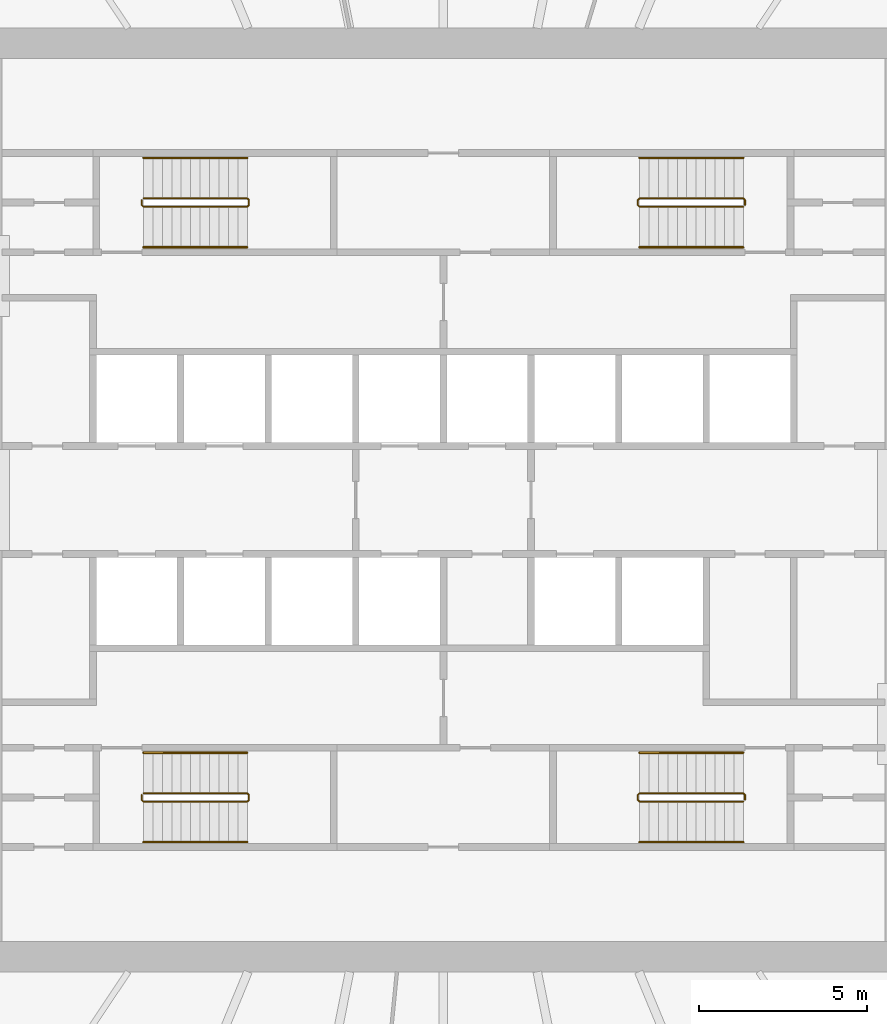
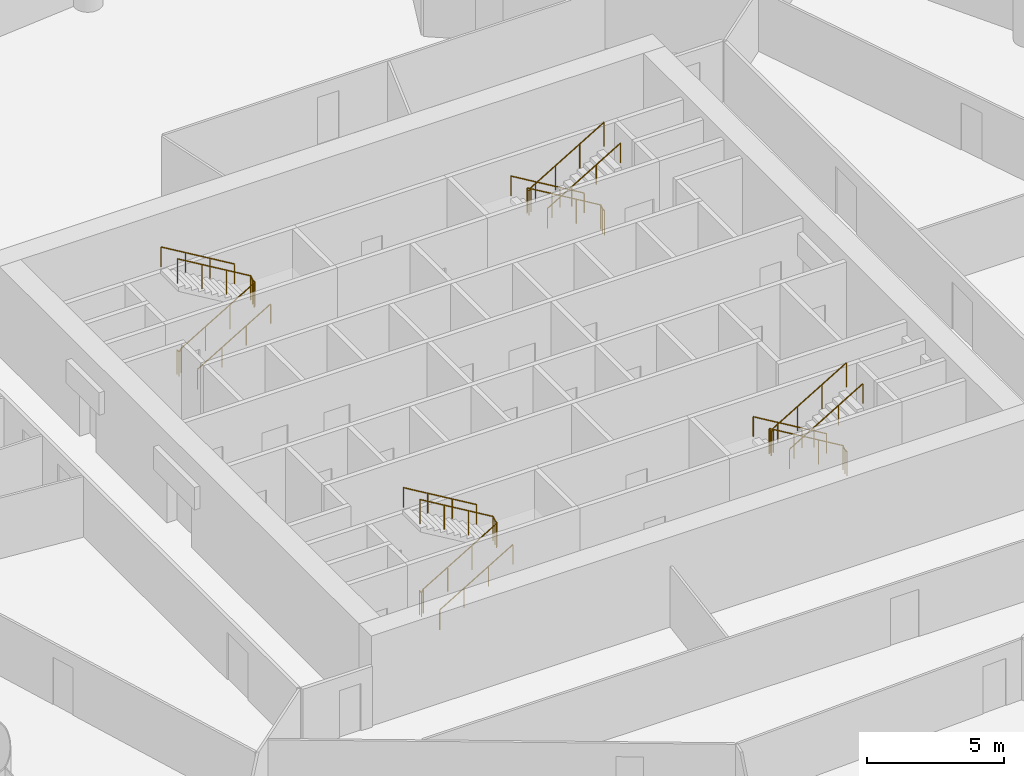
# One storey, part 9 of 9: 12 railings.
"""IFC4 building model written with IfcOpenShell, lengths in metres."""

import ifcopenshell
import ifcopenshell.guid

model = None  # the IFC model being written
_history = None  # IfcOwnerHistory: only IFC2X3 demands one
_inside = {}  # id of a spatial element -> (the spatial element, [elements in it])
_under = {}  # id of a project, library or spatial element -> (it, [spatial elements below it])
_declared = {}  # id of a project -> (the project, [libraries it declares])
_typed = {}  # id of a type object -> (the type object, [elements of that type])
_made_of = {}  # id of a material, layer set ... -> (it, [elements and type objects made of it])


def new_model(schema):
    """Start an empty IFC model of exactly this schema.

    Asked for "IFC4X3", IfcOpenShell would pick the latest addendum, in which some entities
    have other attributes; the version numbers below select the first issue.
    IFC2X3 requires an IfcOwnerHistory on every rooted entity: one is made here for all.
    """
    global model, _history
    if schema == "IFC4X3":
        model = ifcopenshell.file(schema_version=(4, 3, 0, 0))
    else:
        model = ifcopenshell.file(schema=schema)
    _inside.clear()
    _under.clear()
    _declared.clear()
    _typed.clear()
    _made_of.clear()
    _history = None
    if model.schema == "IFC2X3":
        org = make("IfcOrganization", Name="unknown")
        user = make(
            "IfcPersonAndOrganization",
            ThePerson=make("IfcPerson", FamilyName="unknown"),
            TheOrganization=org,
        )
        app = make(
            "IfcApplication",
            ApplicationDeveloper=org,
            Version="unknown",
            ApplicationFullName="unknown",
            ApplicationIdentifier="unknown",
        )
        _history = make(
            "IfcOwnerHistory",
            OwningUser=user,
            OwningApplication=app,
            ChangeAction="ADDED",
            CreationDate=0,
        )
    return model


def make(cls, **values):
    """One entity of the class cls with the attributes given. An attribute that is None is left unset."""
    return model.create_entity(
        cls, **{name: value for name, value in values.items() if value is not None}
    )


def rooted(cls, **values):
    """An entity with a GlobalId (a new one), such as an element, a storey or a relation."""
    return make(cls, GlobalId=ifcopenshell.guid.new(), OwnerHistory=_history, **values)


def si_unit(unit_type, name, prefix=None):
    """IfcSIUnit, for example si_unit("LENGTHUNIT", "METRE", prefix="MILLI")."""
    return make("IfcSIUnit", UnitType=unit_type, Prefix=prefix, Name=name)


def assignment(units):
    """IfcUnitAssignment: the units of a project."""
    return None if units is None else make("IfcUnitAssignment", Units=units)


def point(xyz):
    """IfcCartesianPoint."""
    return None if xyz is None else make("IfcCartesianPoint", Coordinates=xyz)


def direction(xyz):
    """IfcDirection."""
    return None if xyz is None else make("IfcDirection", DirectionRatios=xyz)


def frame(location, z_axis=None, x_axis=None):
    """IfcAxis2Placement3D, a coordinate frame: its origin and axes. An axis left out is left unset."""
    return make(
        "IfcAxis2Placement3D",
        Location=point(location),
        Axis=direction(z_axis),
        RefDirection=direction(x_axis),
    )


def frame_2d(location, x_axis=None):
    """IfcAxis2Placement2D, a coordinate frame in the plane: its origin and x axis."""
    return make(
        "IfcAxis2Placement2D", Location=point(location), RefDirection=direction(x_axis)
    )


def origin():
    """The frame at (0, 0, 0) with its axes left unset."""
    return frame((0.0, 0.0, 0.0))


def origin_2d():
    """The frame at (0, 0) in the plane with its x axis left unset."""
    return frame_2d((0.0, 0.0))


def place(relative_to, where):
    """IfcLocalPlacement: puts the frame where relative to a parent placement (None: the world)."""
    return make(
        "IfcLocalPlacement", PlacementRelTo=relative_to, RelativePlacement=where
    )


def context(
    kind, dimensions, precision=None, world=None, true_north=None, identifier=None
):
    """IfcGeometricRepresentationContext, for example the 3D "Model" context."""
    return make(
        "IfcGeometricRepresentationContext",
        ContextIdentifier=identifier,
        ContextType=kind,
        CoordinateSpaceDimension=dimensions,
        Precision=precision,
        WorldCoordinateSystem=world,
        TrueNorth=true_north,
    )


def subcontext(parent, identifier, kind, view, scale=None):
    """IfcGeometricRepresentationSubContext, for example "Body" below "Model"."""
    return make(
        "IfcGeometricRepresentationSubContext",
        ContextIdentifier=identifier,
        ContextType=kind,
        ParentContext=parent,
        TargetScale=scale,
        TargetView=view,
    )


def project(units=None, contexts=None):
    """IfcProject with its units and contexts."""
    return rooted(
        "IfcProject",
        Name="project",
        RepresentationContexts=contexts,
        UnitsInContext=assignment(units),
    )


def spatial(cls, under=None, at=None, **own):
    """A site, building, storey or space (cls), placed at a placement, below another one or the project."""
    s = rooted(cls, ObjectPlacement=at, **own)
    if under is not None:
        _under.setdefault(under.id(), (under, []))[1].append(s)
    return s


def profile(cls, at=None, kind="AREA", **sizes):
    """A parametric profile (cls). Its sizes go by their IFC names, for example OverallWidth=200.0."""
    return make(cls, ProfileType=kind, Position=at, **sizes)


def circle(**sizes):
    """IfcCircleProfileDef."""
    return profile("IfcCircleProfileDef", **sizes)


def extrude(swept, where, along, depth):
    """IfcExtrudedAreaSolid: the profile swept, set in the frame where, extruded along a direction by depth."""
    return make(
        "IfcExtrudedAreaSolid",
        SweptArea=swept,
        Position=where,
        ExtrudedDirection=direction(along),
        Depth=depth,
    )


def shape(context_of_items, identifier, shape_type, items):
    """IfcShapeRepresentation: the items that make up one representation, for example the "Body"."""
    return make(
        "IfcShapeRepresentation",
        ContextOfItems=context_of_items,
        RepresentationIdentifier=identifier,
        RepresentationType=shape_type,
        Items=items,
    )


def material(Name=None, Category=None):
    """IfcMaterial."""
    return make("IfcMaterial", Name=Name, Category=Category)


def made_of(thing, what):
    """Note that an element or type object is made of a material, layer set ...; save() writes the relation."""
    if what is not None:
        _made_of.setdefault(what.id(), (what, []))[1].append(thing)
    return thing


def type_object(cls, material=None, **own):
    """A type object (cls), such as IfcWallType, which elements share."""
    return made_of(rooted(cls, **own), material)


def element(
    cls,
    number,
    at=None,
    inside=None,
    cuts=None,
    type_object=None,
    material=None,
    context=None,
    identifier="Body",
    shape_type=None,
    held_by="IfcProductDefinitionShape",
    body=None,
    shapes=None,
    **own,
):
    """One element of the class cls, such as IfcWall. Its Tag is "e" and its number.

    at: its placement. inside: the storey or other place that contains it. cuts: it is an
    opening in that element (IfcRelVoidsElement). A single representation is given by context,
    identifier, shape_type and body (its items); several are given by shapes. held_by: the class
    of the entity that holds the representations. save() writes the other relations.
    """
    e = rooted(cls, Tag="e%d" % number, ObjectPlacement=at, **own)
    if body is not None:
        shapes = [shape(context, identifier, shape_type, body)]
    if shapes is not None:
        e.Representation = make(held_by, Representations=shapes)
    if inside is not None:
        _inside.setdefault(inside.id(), (inside, []))[1].append(e)
    if cuts is not None:
        rooted(
            "IfcRelVoidsElement", RelatingBuildingElement=cuts, RelatedOpeningElement=e
        )
    if type_object is not None:
        _typed.setdefault(type_object.id(), (type_object, []))[1].append(e)
    return made_of(e, material)


def aggregate(whole, parts):
    """IfcRelAggregates: a whole, such as a stair, and the parts it consists of."""
    return rooted("IfcRelAggregates", RelatingObject=whole, RelatedObjects=parts)


def save(model, path):
    """Write the relations noted so far, then the file.

    IfcRelAggregates (storeys below a building ...), IfcRelContainedInSpatialStructure (elements
    in a storey), IfcRelDefinesByType, IfcRelAssociatesMaterial and IfcRelDeclares: one each for
    every whole, place, type object, material and project.
    """
    for whole, parts in _under.values():
        aggregate(whole, parts)
    for where, things in _inside.values():
        rooted(
            "IfcRelContainedInSpatialStructure",
            RelatedElements=things,
            RelatingStructure=where,
        )
    for kind, things in _typed.values():
        rooted("IfcRelDefinesByType", RelatedObjects=things, RelatingType=kind)
    for what, things in _made_of.values():
        rooted("IfcRelAssociatesMaterial", RelatedObjects=things, RelatingMaterial=what)
    for by, libraries in _declared.values():
        rooted("IfcRelDeclares", RelatingContext=by, RelatedDefinitions=libraries)
    model.write(path)


model = new_model("IFC4")

# Units and contexts
model_context = context("Model", 3, precision=1e-05, world=origin(), true_north=direction((0.0, 1.0)))
body_context = subcontext(model_context, "Body", "Model", "MODEL_VIEW")
ifc_project = project(units=[si_unit("LENGTHUNIT", "METRE"), si_unit("AREAUNIT", "SQUARE_METRE"), si_unit("VOLUMEUNIT", "CUBIC_METRE"), si_unit("PLANEANGLEUNIT", "RADIAN"), si_unit("MASSUNIT", "GRAM", prefix="KILO")], contexts=[model_context])

# Site, building, storey
site_placement = place(None, origin())
site = spatial("IfcSite", under=ifc_project, at=site_placement, CompositionType="ELEMENT")
building_placement = place(site_placement, origin())
building = spatial("IfcBuilding", under=site, at=building_placement, Name="Corvane Civic Tower", CompositionType="ELEMENT")
storey_placement = place(building_placement, frame((0.0, 0.0, 164.0)))
storey = spatial("IfcBuildingStorey", under=building, at=storey_placement, Name="L38", CompositionType="ELEMENT", Elevation=164.0)

# Railings
ifc_material_1 = material(Name="Steel ASTM A572 Gr 50", Category="steel")
railing_type_1 = type_object("IfcRailingType", Name="ST-GUARD-1100", PredefinedType="GUARDRAIL", material=ifc_material_1)
railing_1_placement = place(storey_placement, frame((8.949951171875, 8.75, 0.0)))
element("IfcRailing", 1, at=railing_1_placement, inside=storey, type_object=railing_type_1, Name="L38 ST1 stair guard 1", PredefinedType="GUARDRAIL", context=body_context, shape_type="SweptSolid", body=[
    extrude(circle(Radius=0.02392578125, at=origin_2d()), frame((0.0, 0.0, 1.076171875), z_axis=(0.0, 1.0, 0.0), x_axis=(-1.0, 0.0, 0.0)), (0.0, 0.0, 1.0), 0.14990234375),
    extrude(circle(Radius=0.02392578125, at=origin_2d()), frame((0.0, 0.14990234375, 1.076171875), z_axis=(-0.27628659633, 0.27628659633, 0.920506074601), x_axis=(-0.707106781187, -0.707106781187, 0.0)), (0.0, 0.0, 1.0), 0.18115234375),
    extrude(circle(Radius=0.02392578125, at=origin_2d()), frame((-0.050048828125, 0.199951171875, 1.24267578125), z_axis=(-0.859290745958, 0.0, 0.51148745235), x_axis=(0.0, -1.0, 0.0)), (0.0, 0.0, 1.0), 3.584228515625),
    extrude(circle(Radius=0.02392578125, at=origin_2d()), frame((-3.1298828125, 0.199951171875, 3.076171875), z_axis=(-0.707106781187, -0.707106781187, 0.0), x_axis=(0.707106781187, -0.707106781187, 0.0)), (0.0, 0.0, 1.0), 0.07080078125),
    extrude(circle(Radius=0.02392578125, at=origin_2d()), frame((-3.179931640625, 0.14990234375, 3.076171875), z_axis=(0.0, -1.0, 0.0), x_axis=(1.0, 0.0, 0.0)), (0.0, 0.0, 1.0), 0.14990234375),
    extrude(circle(Radius=0.02392578125, at=origin_2d()), frame((-3.179931640625, 0.0, 3.076171875), z_axis=(0.27628659633, -0.27628659633, 0.920506074601), x_axis=(0.707106781187, 0.707106781187, 0.0)), (0.0, 0.0, 1.0), 0.18115234375),
    extrude(circle(Radius=0.02392578125, at=origin_2d()), frame((-3.1298828125, -0.050048828125, 3.24267578125), z_axis=(0.859290745958, 0.0, 0.51148745235), x_axis=(0.0, 1.0, 0.0)), (0.0, 0.0, 1.0), 3.584228515625),
    extrude(circle(Radius=0.02099609375, at=origin_2d()), origin(), (0.0, 0.0, 1.0), 1.052001953125),
    extrude(circle(Radius=0.02099609375, at=origin_2d()), frame((0.0, 0.14990234375, 0.0)), (0.0, 0.0, 1.0), 1.052001953125),
    extrude(circle(Radius=0.02099609375, at=origin_2d()), frame((-0.050048828125, 0.199951171875, 0.166748046875)), (0.0, 0.0, 1.0), 1.052001953125),
    extrude(circle(Radius=0.02099609375, at=origin_2d()), frame((-1.07666015625, 0.199951171875, 0.77783203125)), (0.0, 0.0, 1.0), 1.052001953125),
    extrude(circle(Radius=0.02099609375, at=origin_2d()), frame((-2.103271484375, 0.199951171875, 1.388916015625)), (0.0, 0.0, 1.0), 1.052001953125),
    extrude(circle(Radius=0.02099609375, at=origin_2d()), frame((-3.1298828125, 0.199951171875, 2.0)), (0.0, 0.0, 1.0), 1.052001953125),
    extrude(circle(Radius=0.02099609375, at=origin_2d()), frame((-3.179931640625, 0.14990234375, 2.0)), (0.0, 0.0, 1.0), 1.052001953125),
    extrude(circle(Radius=0.02099609375, at=origin_2d()), frame((-3.179931640625, 0.0, 2.0)), (0.0, 0.0, 1.0), 1.052001953125),
    extrude(circle(Radius=0.02099609375, at=origin_2d()), frame((-3.1298828125, -0.050048828125, 2.166748046875)), (0.0, 0.0, 1.0), 1.052001953125),
    extrude(circle(Radius=0.02099609375, at=origin_2d()), frame((-2.103271484375, -0.050048828125, 2.77783203125)), (0.0, 0.0, 1.0), 1.052001953125),
    extrude(circle(Radius=0.02099609375, at=origin_2d()), frame((-1.07666015625, -0.050048828125, 3.388916015625)), (0.0, 0.0, 1.0), 1.052001953125),
    extrude(circle(Radius=0.02099609375, at=origin_2d()), frame((-0.050048828125, -0.050048828125, 4.0)), (0.0, 0.0, 1.0), 1.052001953125),
])
railing_2_placement = place(storey_placement, frame((8.949951171875, -8.89990234375, 0.0)))
element("IfcRailing", 2, at=railing_2_placement, inside=storey, type_object=railing_type_1, Name="L38 ST2 stair guard 1", PredefinedType="GUARDRAIL", context=body_context, shape_type="SweptSolid", body=[
    extrude(circle(Radius=0.02392578125, at=origin_2d()), frame((0.0, 0.0, 1.076171875), z_axis=(0.0, 1.0, 0.0), x_axis=(-1.0, 0.0, 0.0)), (0.0, 0.0, 1.0), 0.14990234375),
    extrude(circle(Radius=0.02392578125, at=origin_2d()), frame((0.0, 0.14990234375, 1.076171875), z_axis=(-0.27628659633, 0.27628659633, 0.920506074601), x_axis=(-0.707106781187, -0.707106781187, 0.0)), (0.0, 0.0, 1.0), 0.18115234375),
    extrude(circle(Radius=0.02392578125, at=origin_2d()), frame((-0.050048828125, 0.199951171875, 1.24267578125), z_axis=(-0.859290745958, 0.0, 0.51148745235), x_axis=(0.0, -1.0, 0.0)), (0.0, 0.0, 1.0), 3.584228515625),
    extrude(circle(Radius=0.02392578125, at=origin_2d()), frame((-3.1298828125, 0.199951171875, 3.076171875), z_axis=(-0.707106781187, -0.707106781187, 0.0), x_axis=(0.707106781187, -0.707106781187, 0.0)), (0.0, 0.0, 1.0), 0.07080078125),
    extrude(circle(Radius=0.02392578125, at=origin_2d()), frame((-3.179931640625, 0.14990234375, 3.076171875), z_axis=(0.0, -1.0, 0.0), x_axis=(1.0, 0.0, 0.0)), (0.0, 0.0, 1.0), 0.14990234375),
    extrude(circle(Radius=0.02392578125, at=origin_2d()), frame((-3.179931640625, 0.0, 3.076171875), z_axis=(0.27628659633, -0.27628659633, 0.920506074601), x_axis=(0.707106781187, 0.707106781187, 0.0)), (0.0, 0.0, 1.0), 0.18115234375),
    extrude(circle(Radius=0.02392578125, at=origin_2d()), frame((-3.1298828125, -0.050048828125, 3.24267578125), z_axis=(0.859290745958, 0.0, 0.51148745235), x_axis=(0.0, 1.0, 0.0)), (0.0, 0.0, 1.0), 3.584228515625),
    extrude(circle(Radius=0.02099609375, at=origin_2d()), origin(), (0.0, 0.0, 1.0), 1.052001953125),
    extrude(circle(Radius=0.02099609375, at=origin_2d()), frame((0.0, 0.14990234375, 0.0)), (0.0, 0.0, 1.0), 1.052001953125),
    extrude(circle(Radius=0.02099609375, at=origin_2d()), frame((-0.050048828125, 0.199951171875, 0.166748046875)), (0.0, 0.0, 1.0), 1.052001953125),
    extrude(circle(Radius=0.02099609375, at=origin_2d()), frame((-1.07666015625, 0.199951171875, 0.77783203125)), (0.0, 0.0, 1.0), 1.052001953125),
    extrude(circle(Radius=0.02099609375, at=origin_2d()), frame((-2.103271484375, 0.199951171875, 1.388916015625)), (0.0, 0.0, 1.0), 1.052001953125),
    extrude(circle(Radius=0.02099609375, at=origin_2d()), frame((-3.1298828125, 0.199951171875, 2.0)), (0.0, 0.0, 1.0), 1.052001953125),
    extrude(circle(Radius=0.02099609375, at=origin_2d()), frame((-3.179931640625, 0.14990234375, 2.0)), (0.0, 0.0, 1.0), 1.052001953125),
    extrude(circle(Radius=0.02099609375, at=origin_2d()), frame((-3.179931640625, 0.0, 2.0)), (0.0, 0.0, 1.0), 1.052001953125),
    extrude(circle(Radius=0.02099609375, at=origin_2d()), frame((-3.1298828125, -0.050048828125, 2.166748046875)), (0.0, 0.0, 1.0), 1.052001953125),
    extrude(circle(Radius=0.02099609375, at=origin_2d()), frame((-2.103271484375, -0.050048828125, 2.77783203125)), (0.0, 0.0, 1.0), 1.052001953125),
    extrude(circle(Radius=0.02099609375, at=origin_2d()), frame((-1.07666015625, -0.050048828125, 3.388916015625)), (0.0, 0.0, 1.0), 1.052001953125),
    extrude(circle(Radius=0.02099609375, at=origin_2d()), frame((-0.050048828125, -0.050048828125, 4.0)), (0.0, 0.0, 1.0), 1.052001953125),
])
railing_3_placement = place(storey_placement, frame((-8.949951171875, -8.75, 0.0)))
element("IfcRailing", 3, at=railing_3_placement, inside=storey, type_object=railing_type_1, Name="L38 ST3 stair guard 1", PredefinedType="GUARDRAIL", context=body_context, shape_type="SweptSolid", body=[
    extrude(circle(Radius=0.02392578125, at=origin_2d()), frame((0.0, 0.0, 1.076171875), z_axis=(0.0, -1.0, 0.0), x_axis=(1.0, 0.0, 0.0)), (0.0, 0.0, 1.0), 0.14990234375),
    extrude(circle(Radius=0.02392578125, at=origin_2d()), frame((0.0, -0.14990234375, 1.076171875), z_axis=(0.27628659633, -0.27628659633, 0.920506074601), x_axis=(0.707106781187, 0.707106781187, 0.0)), (0.0, 0.0, 1.0), 0.18115234375),
    extrude(circle(Radius=0.02392578125, at=origin_2d()), frame((0.050048828125, -0.199951171875, 1.24267578125), z_axis=(0.859290745958, 0.0, 0.51148745235), x_axis=(0.0, 1.0, 0.0)), (0.0, 0.0, 1.0), 3.584228515625),
    extrude(circle(Radius=0.02392578125, at=origin_2d()), frame((3.1298828125, -0.199951171875, 3.076171875), z_axis=(0.707106781187, 0.707106781187, 0.0), x_axis=(-0.707106781187, 0.707106781187, 0.0)), (0.0, 0.0, 1.0), 0.07080078125),
    extrude(circle(Radius=0.02392578125, at=origin_2d()), frame((3.179931640625, -0.14990234375, 3.076171875), z_axis=(0.0, 1.0, 0.0), x_axis=(-1.0, 0.0, 0.0)), (0.0, 0.0, 1.0), 0.14990234375),
    extrude(circle(Radius=0.02392578125, at=origin_2d()), frame((3.179931640625, 0.0, 3.076171875), z_axis=(-0.27628659633, 0.27628659633, 0.920506074601), x_axis=(-0.707106781187, -0.707106781187, 0.0)), (0.0, 0.0, 1.0), 0.18115234375),
    extrude(circle(Radius=0.02392578125, at=origin_2d()), frame((3.1298828125, 0.050048828125, 3.24267578125), z_axis=(-0.859290745958, 0.0, 0.51148745235), x_axis=(0.0, -1.0, 0.0)), (0.0, 0.0, 1.0), 3.584228515625),
    extrude(circle(Radius=0.02099609375, at=origin_2d()), origin(), (0.0, 0.0, 1.0), 1.052001953125),
    extrude(circle(Radius=0.02099609375, at=origin_2d()), frame((0.0, -0.14990234375, 0.0)), (0.0, 0.0, 1.0), 1.052001953125),
    extrude(circle(Radius=0.02099609375, at=origin_2d()), frame((0.050048828125, -0.199951171875, 0.166748046875)), (0.0, 0.0, 1.0), 1.052001953125),
    extrude(circle(Radius=0.02099609375, at=origin_2d()), frame((1.07666015625, -0.199951171875, 0.77783203125)), (0.0, 0.0, 1.0), 1.052001953125),
    extrude(circle(Radius=0.02099609375, at=origin_2d()), frame((2.103271484375, -0.199951171875, 1.388916015625)), (0.0, 0.0, 1.0), 1.052001953125),
    extrude(circle(Radius=0.02099609375, at=origin_2d()), frame((3.1298828125, -0.199951171875, 2.0)), (0.0, 0.0, 1.0), 1.052001953125),
    extrude(circle(Radius=0.02099609375, at=origin_2d()), frame((3.179931640625, -0.14990234375, 2.0)), (0.0, 0.0, 1.0), 1.052001953125),
    extrude(circle(Radius=0.02099609375, at=origin_2d()), frame((3.179931640625, 0.0, 2.0)), (0.0, 0.0, 1.0), 1.052001953125),
    extrude(circle(Radius=0.02099609375, at=origin_2d()), frame((3.1298828125, 0.050048828125, 2.166748046875)), (0.0, 0.0, 1.0), 1.052001953125),
    extrude(circle(Radius=0.02099609375, at=origin_2d()), frame((2.103271484375, 0.050048828125, 2.77783203125)), (0.0, 0.0, 1.0), 1.052001953125),
    extrude(circle(Radius=0.02099609375, at=origin_2d()), frame((1.07666015625, 0.050048828125, 3.388916015625)), (0.0, 0.0, 1.0), 1.052001953125),
    extrude(circle(Radius=0.02099609375, at=origin_2d()), frame((0.050048828125, 0.050048828125, 4.0)), (0.0, 0.0, 1.0), 1.052001953125),
])
railing_4_placement = place(storey_placement, frame((-8.949951171875, 8.89990234375, 0.0)))
element("IfcRailing", 4, at=railing_4_placement, inside=storey, type_object=railing_type_1, Name="L38 ST4 stair guard 1", PredefinedType="GUARDRAIL", context=body_context, shape_type="SweptSolid", body=[
    extrude(circle(Radius=0.02392578125, at=origin_2d()), frame((0.0, 0.0, 1.076171875), z_axis=(0.0, -1.0, 0.0), x_axis=(1.0, 0.0, 0.0)), (0.0, 0.0, 1.0), 0.14990234375),
    extrude(circle(Radius=0.02392578125, at=origin_2d()), frame((0.0, -0.14990234375, 1.076171875), z_axis=(0.27628659633, -0.27628659633, 0.920506074601), x_axis=(0.707106781187, 0.707106781187, 0.0)), (0.0, 0.0, 1.0), 0.18115234375),
    extrude(circle(Radius=0.02392578125, at=origin_2d()), frame((0.050048828125, -0.199951171875, 1.24267578125), z_axis=(0.859290745958, 0.0, 0.51148745235), x_axis=(0.0, 1.0, 0.0)), (0.0, 0.0, 1.0), 3.584228515625),
    extrude(circle(Radius=0.02392578125, at=origin_2d()), frame((3.1298828125, -0.199951171875, 3.076171875), z_axis=(0.707106781187, 0.707106781187, 0.0), x_axis=(-0.707106781187, 0.707106781187, 0.0)), (0.0, 0.0, 1.0), 0.07080078125),
    extrude(circle(Radius=0.02392578125, at=origin_2d()), frame((3.179931640625, -0.14990234375, 3.076171875), z_axis=(0.0, 1.0, 0.0), x_axis=(-1.0, 0.0, 0.0)), (0.0, 0.0, 1.0), 0.14990234375),
    extrude(circle(Radius=0.02392578125, at=origin_2d()), frame((3.179931640625, 0.0, 3.076171875), z_axis=(-0.27628659633, 0.27628659633, 0.920506074601), x_axis=(-0.707106781187, -0.707106781187, 0.0)), (0.0, 0.0, 1.0), 0.18115234375),
    extrude(circle(Radius=0.02392578125, at=origin_2d()), frame((3.1298828125, 0.050048828125, 3.24267578125), z_axis=(-0.859290745958, 0.0, 0.51148745235), x_axis=(0.0, -1.0, 0.0)), (0.0, 0.0, 1.0), 3.584228515625),
    extrude(circle(Radius=0.02099609375, at=origin_2d()), origin(), (0.0, 0.0, 1.0), 1.052001953125),
    extrude(circle(Radius=0.02099609375, at=origin_2d()), frame((0.0, -0.14990234375, 0.0)), (0.0, 0.0, 1.0), 1.052001953125),
    extrude(circle(Radius=0.02099609375, at=origin_2d()), frame((0.050048828125, -0.199951171875, 0.166748046875)), (0.0, 0.0, 1.0), 1.052001953125),
    extrude(circle(Radius=0.02099609375, at=origin_2d()), frame((1.07666015625, -0.199951171875, 0.77783203125)), (0.0, 0.0, 1.0), 1.052001953125),
    extrude(circle(Radius=0.02099609375, at=origin_2d()), frame((2.103271484375, -0.199951171875, 1.388916015625)), (0.0, 0.0, 1.0), 1.052001953125),
    extrude(circle(Radius=0.02099609375, at=origin_2d()), frame((3.1298828125, -0.199951171875, 2.0)), (0.0, 0.0, 1.0), 1.052001953125),
    extrude(circle(Radius=0.02099609375, at=origin_2d()), frame((3.179931640625, -0.14990234375, 2.0)), (0.0, 0.0, 1.0), 1.052001953125),
    extrude(circle(Radius=0.02099609375, at=origin_2d()), frame((3.179931640625, 0.0, 2.0)), (0.0, 0.0, 1.0), 1.052001953125),
    extrude(circle(Radius=0.02099609375, at=origin_2d()), frame((3.1298828125, 0.050048828125, 2.166748046875)), (0.0, 0.0, 1.0), 1.052001953125),
    extrude(circle(Radius=0.02099609375, at=origin_2d()), frame((2.103271484375, 0.050048828125, 2.77783203125)), (0.0, 0.0, 1.0), 1.052001953125),
    extrude(circle(Radius=0.02099609375, at=origin_2d()), frame((1.07666015625, 0.050048828125, 3.388916015625)), (0.0, 0.0, 1.0), 1.052001953125),
    extrude(circle(Radius=0.02099609375, at=origin_2d()), frame((0.050048828125, 0.050048828125, 4.0)), (0.0, 0.0, 1.0), 1.052001953125),
])
ifc_material_2 = material(Name="Steel ASTM A572 Gr 50", Category="steel")
railing_type_2 = type_object("IfcRailingType", Name="ST-HANDRAIL-900", PredefinedType="HANDRAIL", material=ifc_material_2)
railing_5_placement = place(storey_placement, frame((8.89990234375, 10.14990234375, 0.166748046875)))
element("IfcRailing", 5, at=railing_5_placement, inside=storey, type_object=railing_type_2, Name="L38 ST1 stair handrail 1", PredefinedType="HANDRAIL", context=body_context, shape_type="SweptSolid", body=[
    extrude(circle(Radius=0.02392578125, at=origin_2d()), frame((0.0, 0.0, 0.8759765625), z_axis=(-0.859290745958, 0.0, 0.51148745235), x_axis=(0.0, -1.0, 0.0)), (0.0, 0.0, 1.0), 3.584228515625),
    extrude(circle(Radius=0.02099609375, at=origin_2d()), origin(), (0.0, 0.0, 1.0), 0.851806640625),
    extrude(circle(Radius=0.02099609375, at=origin_2d()), frame((-1.026611328125, 0.0, 0.611083984375)), (0.0, 0.0, 1.0), 0.851806640625),
    extrude(circle(Radius=0.02099609375, at=origin_2d()), frame((-2.05322265625, 0.0, 1.22216796875)), (0.0, 0.0, 1.0), 0.851806640625),
    extrude(circle(Radius=0.02099609375, at=origin_2d()), frame((-3.079833984375, 0.0, 1.833251953125)), (0.0, 0.0, 1.0), 0.851806640625),
])
railing_6_placement = place(storey_placement, frame((5.820068359375, 7.5, 2.166748046875)))
element("IfcRailing", 6, at=railing_6_placement, inside=storey, type_object=railing_type_2, Name="L38 ST1 stair handrail 2", PredefinedType="HANDRAIL", context=body_context, shape_type="SweptSolid", body=[
    extrude(circle(Radius=0.02392578125, at=origin_2d()), frame((0.0, 0.0, 0.8759765625), z_axis=(0.859290745958, 0.0, 0.51148745235), x_axis=(0.0, 1.0, 0.0)), (0.0, 0.0, 1.0), 3.584228515625),
    extrude(circle(Radius=0.02099609375, at=origin_2d()), origin(), (0.0, 0.0, 1.0), 0.851806640625),
    extrude(circle(Radius=0.02099609375, at=origin_2d()), frame((1.026611328125, 0.0, 0.611083984375)), (0.0, 0.0, 1.0), 0.851806640625),
    extrude(circle(Radius=0.02099609375, at=origin_2d()), frame((2.05322265625, 0.0, 1.22216796875)), (0.0, 0.0, 1.0), 0.851806640625),
    extrude(circle(Radius=0.02099609375, at=origin_2d()), frame((3.079833984375, 0.0, 1.833251953125)), (0.0, 0.0, 1.0), 0.851806640625),
])
railing_7_placement = place(storey_placement, frame((8.89990234375, -7.5, 0.166748046875)))
element("IfcRailing", 7, at=railing_7_placement, inside=storey, type_object=railing_type_2, Name="L38 ST2 stair handrail 1", PredefinedType="HANDRAIL", context=body_context, shape_type="SweptSolid", body=[
    extrude(circle(Radius=0.02392578125, at=origin_2d()), frame((0.0, 0.0, 0.8759765625), z_axis=(-0.859290745958, 0.0, 0.51148745235), x_axis=(0.0, -1.0, 0.0)), (0.0, 0.0, 1.0), 3.584228515625),
    extrude(circle(Radius=0.02099609375, at=origin_2d()), origin(), (0.0, 0.0, 1.0), 0.851806640625),
    extrude(circle(Radius=0.02099609375, at=origin_2d()), frame((-1.026611328125, 0.0, 0.611083984375)), (0.0, 0.0, 1.0), 0.851806640625),
    extrude(circle(Radius=0.02099609375, at=origin_2d()), frame((-2.05322265625, 0.0, 1.22216796875)), (0.0, 0.0, 1.0), 0.851806640625),
    extrude(circle(Radius=0.02099609375, at=origin_2d()), frame((-3.079833984375, 0.0, 1.833251953125)), (0.0, 0.0, 1.0), 0.851806640625),
])
for number, where, name in (
    (8, (5.820068359375, -10.14990234375, 2.166748046875), "L38 ST2 stair handrail 2"),
    (9, (-8.89990234375, -10.14990234375, 0.166748046875), "L38 ST3 stair handrail 1"),
):
    element("IfcRailing", number, at=place(storey_placement, frame(where)), inside=storey, type_object=railing_type_2, Name=name, PredefinedType="HANDRAIL", context=body_context, shape_type="SweptSolid", body=[
        extrude(circle(Radius=0.02392578125, at=origin_2d()), frame((0.0, 0.0, 0.8759765625), z_axis=(0.859290745958, 0.0, 0.51148745235), x_axis=(0.0, 1.0, 0.0)), (0.0, 0.0, 1.0), 3.584228515625),
        extrude(circle(Radius=0.02099609375, at=origin_2d()), origin(), (0.0, 0.0, 1.0), 0.851806640625),
        extrude(circle(Radius=0.02099609375, at=origin_2d()), frame((1.026611328125, 0.0, 0.611083984375)), (0.0, 0.0, 1.0), 0.851806640625),
        extrude(circle(Radius=0.02099609375, at=origin_2d()), frame((2.05322265625, 0.0, 1.22216796875)), (0.0, 0.0, 1.0), 0.851806640625),
        extrude(circle(Radius=0.02099609375, at=origin_2d()), frame((3.079833984375, 0.0, 1.833251953125)), (0.0, 0.0, 1.0), 0.851806640625),
    ])
railing_8_placement = place(storey_placement, frame((-5.820068359375, -7.5, 2.166748046875)))
element("IfcRailing", 10, at=railing_8_placement, inside=storey, type_object=railing_type_2, Name="L38 ST3 stair handrail 2", PredefinedType="HANDRAIL", context=body_context, shape_type="SweptSolid", body=[
    extrude(circle(Radius=0.02392578125, at=origin_2d()), frame((0.0, 0.0, 0.8759765625), z_axis=(-0.859290745958, 0.0, 0.51148745235), x_axis=(0.0, -1.0, 0.0)), (0.0, 0.0, 1.0), 3.584228515625),
    extrude(circle(Radius=0.02099609375, at=origin_2d()), origin(), (0.0, 0.0, 1.0), 0.851806640625),
    extrude(circle(Radius=0.02099609375, at=origin_2d()), frame((-1.026611328125, 0.0, 0.611083984375)), (0.0, 0.0, 1.0), 0.851806640625),
    extrude(circle(Radius=0.02099609375, at=origin_2d()), frame((-2.05322265625, 0.0, 1.22216796875)), (0.0, 0.0, 1.0), 0.851806640625),
    extrude(circle(Radius=0.02099609375, at=origin_2d()), frame((-3.079833984375, 0.0, 1.833251953125)), (0.0, 0.0, 1.0), 0.851806640625),
])
railing_9_placement = place(storey_placement, frame((-8.89990234375, 7.5, 0.166748046875)))
element("IfcRailing", 11, at=railing_9_placement, inside=storey, type_object=railing_type_2, Name="L38 ST4 stair handrail 1", PredefinedType="HANDRAIL", context=body_context, shape_type="SweptSolid", body=[
    extrude(circle(Radius=0.02392578125, at=origin_2d()), frame((0.0, 0.0, 0.8759765625), z_axis=(0.859290745958, 0.0, 0.51148745235), x_axis=(0.0, 1.0, 0.0)), (0.0, 0.0, 1.0), 3.584228515625),
    extrude(circle(Radius=0.02099609375, at=origin_2d()), origin(), (0.0, 0.0, 1.0), 0.851806640625),
    extrude(circle(Radius=0.02099609375, at=origin_2d()), frame((1.026611328125, 0.0, 0.611083984375)), (0.0, 0.0, 1.0), 0.851806640625),
    extrude(circle(Radius=0.02099609375, at=origin_2d()), frame((2.05322265625, 0.0, 1.22216796875)), (0.0, 0.0, 1.0), 0.851806640625),
    extrude(circle(Radius=0.02099609375, at=origin_2d()), frame((3.079833984375, 0.0, 1.833251953125)), (0.0, 0.0, 1.0), 0.851806640625),
])
railing_10_placement = place(storey_placement, frame((-5.820068359375, 10.14990234375, 2.166748046875)))
element("IfcRailing", 12, at=railing_10_placement, inside=storey, type_object=railing_type_2, Name="L38 ST4 stair handrail 2", PredefinedType="HANDRAIL", context=body_context, shape_type="SweptSolid", body=[
    extrude(circle(Radius=0.02392578125, at=origin_2d()), frame((0.0, 0.0, 0.8759765625), z_axis=(-0.859290745958, 0.0, 0.51148745235), x_axis=(0.0, -1.0, 0.0)), (0.0, 0.0, 1.0), 3.584228515625),
    extrude(circle(Radius=0.02099609375, at=origin_2d()), origin(), (0.0, 0.0, 1.0), 0.851806640625),
    extrude(circle(Radius=0.02099609375, at=origin_2d()), frame((-1.026611328125, 0.0, 0.611083984375)), (0.0, 0.0, 1.0), 0.851806640625),
    extrude(circle(Radius=0.02099609375, at=origin_2d()), frame((-2.05322265625, 0.0, 1.22216796875)), (0.0, 0.0, 1.0), 0.851806640625),
    extrude(circle(Radius=0.02099609375, at=origin_2d()), frame((-3.079833984375, 0.0, 1.833251953125)), (0.0, 0.0, 1.0), 0.851806640625),
])

save(model, "model.ifc")
